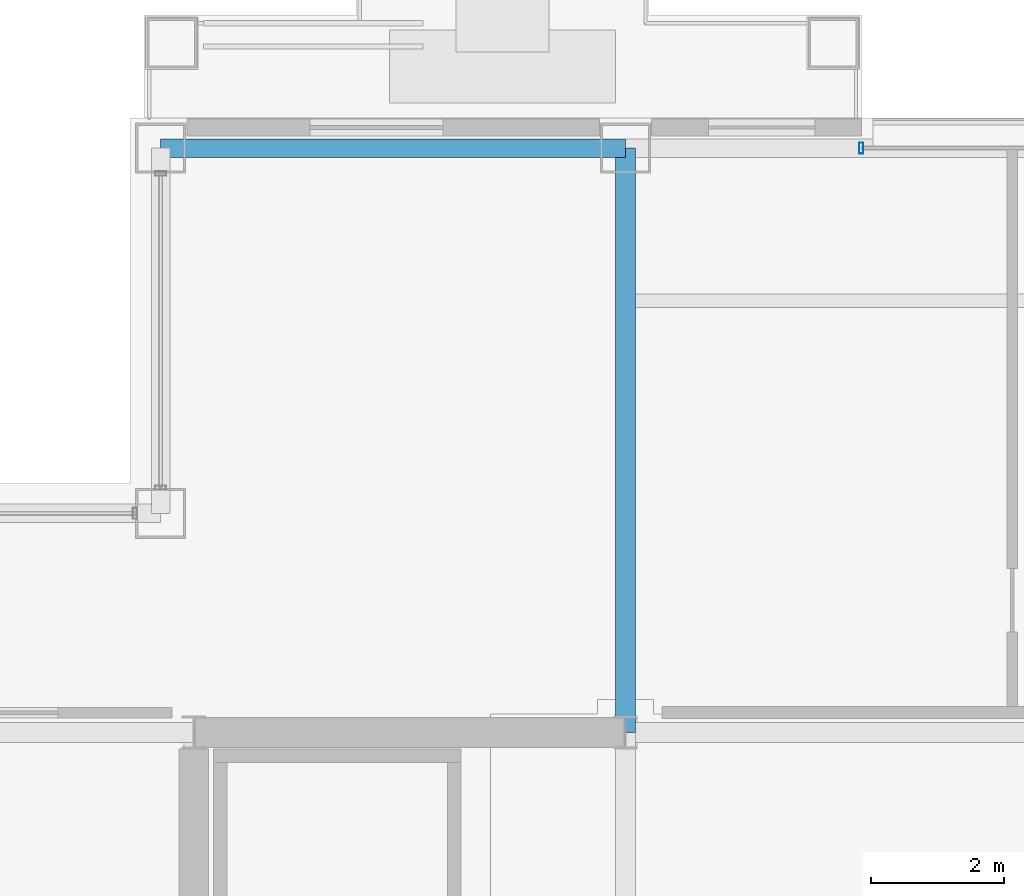
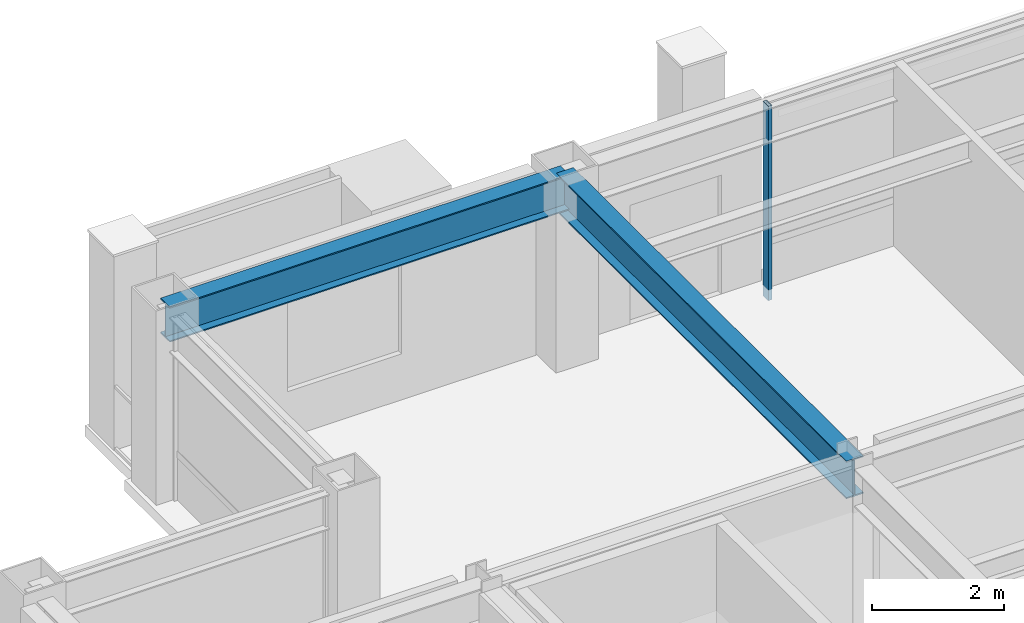
# One storey, part 21 of 32: 2 beams, 1 member, 1 element without a shape of its own.
"""IFC4 building model written with IfcOpenShell, lengths in metres."""

import ifcopenshell
import ifcopenshell.guid

model = None  # the IFC model being written
_history = None  # IfcOwnerHistory: only IFC2X3 demands one
_inside = {}  # id of a spatial element -> (the spatial element, [elements in it])
_under = {}  # id of a project, library or spatial element -> (it, [spatial elements below it])
_declared = {}  # id of a project -> (the project, [libraries it declares])
_typed = {}  # id of a type object -> (the type object, [elements of that type])
_made_of = {}  # id of a material, layer set ... -> (it, [elements and type objects made of it])


def new_model(schema):
    """Start an empty IFC model of exactly this schema.

    Asked for "IFC4X3", IfcOpenShell would pick the latest addendum, in which some entities
    have other attributes; the version numbers below select the first issue.
    IFC2X3 requires an IfcOwnerHistory on every rooted entity: one is made here for all.
    """
    global model, _history
    if schema == "IFC4X3":
        model = ifcopenshell.file(schema_version=(4, 3, 0, 0))
    else:
        model = ifcopenshell.file(schema=schema)
    _inside.clear()
    _under.clear()
    _declared.clear()
    _typed.clear()
    _made_of.clear()
    _history = None
    if model.schema == "IFC2X3":
        org = make("IfcOrganization", Name="unknown")
        user = make(
            "IfcPersonAndOrganization",
            ThePerson=make("IfcPerson", FamilyName="unknown"),
            TheOrganization=org,
        )
        app = make(
            "IfcApplication",
            ApplicationDeveloper=org,
            Version="unknown",
            ApplicationFullName="unknown",
            ApplicationIdentifier="unknown",
        )
        _history = make(
            "IfcOwnerHistory",
            OwningUser=user,
            OwningApplication=app,
            ChangeAction="ADDED",
            CreationDate=0,
        )
    return model


def make(cls, **values):
    """One entity of the class cls with the attributes given. An attribute that is None is left unset."""
    return model.create_entity(
        cls, **{name: value for name, value in values.items() if value is not None}
    )


def rooted(cls, **values):
    """An entity with a GlobalId (a new one), such as an element, a storey or a relation."""
    return make(cls, GlobalId=ifcopenshell.guid.new(), OwnerHistory=_history, **values)


def si_unit(unit_type, name, prefix=None):
    """IfcSIUnit, for example si_unit("LENGTHUNIT", "METRE", prefix="MILLI")."""
    return make("IfcSIUnit", UnitType=unit_type, Prefix=prefix, Name=name)


def assignment(units):
    """IfcUnitAssignment: the units of a project."""
    return None if units is None else make("IfcUnitAssignment", Units=units)


def point(xyz):
    """IfcCartesianPoint."""
    return None if xyz is None else make("IfcCartesianPoint", Coordinates=xyz)


def direction(xyz):
    """IfcDirection."""
    return None if xyz is None else make("IfcDirection", DirectionRatios=xyz)


def frame(location, z_axis=None, x_axis=None):
    """IfcAxis2Placement3D, a coordinate frame: its origin and axes. An axis left out is left unset."""
    return make(
        "IfcAxis2Placement3D",
        Location=point(location),
        Axis=direction(z_axis),
        RefDirection=direction(x_axis),
    )


def frame_2d(location, x_axis=None):
    """IfcAxis2Placement2D, a coordinate frame in the plane: its origin and x axis."""
    return make(
        "IfcAxis2Placement2D", Location=point(location), RefDirection=direction(x_axis)
    )


def origin():
    """The frame at (0, 0, 0) with its axes left unset."""
    return frame((0.0, 0.0, 0.0))


def origin_2d():
    """The frame at (0, 0) in the plane with its x axis left unset."""
    return frame_2d((0.0, 0.0))


def place(relative_to, where):
    """IfcLocalPlacement: puts the frame where relative to a parent placement (None: the world)."""
    return make(
        "IfcLocalPlacement", PlacementRelTo=relative_to, RelativePlacement=where
    )


def context(
    kind, dimensions, precision=None, world=None, true_north=None, identifier=None
):
    """IfcGeometricRepresentationContext, for example the 3D "Model" context."""
    return make(
        "IfcGeometricRepresentationContext",
        ContextIdentifier=identifier,
        ContextType=kind,
        CoordinateSpaceDimension=dimensions,
        Precision=precision,
        WorldCoordinateSystem=world,
        TrueNorth=true_north,
    )


def subcontext(parent, identifier, kind, view, scale=None):
    """IfcGeometricRepresentationSubContext, for example "Body" below "Model"."""
    return make(
        "IfcGeometricRepresentationSubContext",
        ContextIdentifier=identifier,
        ContextType=kind,
        ParentContext=parent,
        TargetScale=scale,
        TargetView=view,
    )


def project(units=None, contexts=None):
    """IfcProject with its units and contexts."""
    return rooted(
        "IfcProject",
        Name="project",
        RepresentationContexts=contexts,
        UnitsInContext=assignment(units),
    )


def spatial(cls, under=None, at=None, **own):
    """A site, building, storey or space (cls), placed at a placement, below another one or the project."""
    s = rooted(cls, ObjectPlacement=at, **own)
    if under is not None:
        _under.setdefault(under.id(), (under, []))[1].append(s)
    return s


def profile(cls, at=None, kind="AREA", **sizes):
    """A parametric profile (cls). Its sizes go by their IFC names, for example OverallWidth=200.0."""
    return make(cls, ProfileType=kind, Position=at, **sizes)


def hollow_rectangle(**sizes):
    """IfcRectangleHollowProfileDef."""
    return profile("IfcRectangleHollowProfileDef", **sizes)


def i_section(**sizes):
    """IfcIShapeProfileDef."""
    return profile("IfcIShapeProfileDef", **sizes)


def extrude(swept, where, along, depth):
    """IfcExtrudedAreaSolid: the profile swept, set in the frame where, extruded along a direction by depth."""
    return make(
        "IfcExtrudedAreaSolid",
        SweptArea=swept,
        Position=where,
        ExtrudedDirection=direction(along),
        Depth=depth,
    )


def shape(context_of_items, identifier, shape_type, items):
    """IfcShapeRepresentation: the items that make up one representation, for example the "Body"."""
    return make(
        "IfcShapeRepresentation",
        ContextOfItems=context_of_items,
        RepresentationIdentifier=identifier,
        RepresentationType=shape_type,
        Items=items,
    )


def material(Name=None, Category=None):
    """IfcMaterial."""
    return make("IfcMaterial", Name=Name, Category=Category)


def layer(
    of_material, thickness, ventilated=None, Name=None, Category=None, Priority=None
):
    """IfcMaterialLayer: one layer of a wall or slab, of a material (None: an air gap)."""
    return make(
        "IfcMaterialLayer",
        Material=of_material,
        LayerThickness=thickness,
        IsVentilated=ventilated,
        Name=Name,
        Category=Category,
        Priority=Priority,
    )


def layer_set(layers, Name=None):
    """IfcMaterialLayerSet."""
    return make("IfcMaterialLayerSet", MaterialLayers=layers, LayerSetName=Name)


def material_profile(
    of_material, cross_section, Name=None, Category=None, Priority=None
):
    """IfcMaterialProfile: a cross section and its material."""
    return make(
        "IfcMaterialProfile",
        Name=Name,
        Material=of_material,
        Profile=cross_section,
        Priority=Priority,
        Category=Category,
    )


def profile_set(profiles, Name=None, composite=None):
    """IfcMaterialProfileSet."""
    return make(
        "IfcMaterialProfileSet",
        Name=Name,
        MaterialProfiles=profiles,
        CompositeProfile=composite,
    )


def made_of(thing, what):
    """Note that an element or type object is made of a material, layer set ...; save() writes the relation."""
    if what is not None:
        _made_of.setdefault(what.id(), (what, []))[1].append(thing)
    return thing


def type_object(cls, material=None, **own):
    """A type object (cls), such as IfcWallType, which elements share."""
    return made_of(rooted(cls, **own), material)


def element(
    cls,
    number,
    at=None,
    inside=None,
    cuts=None,
    type_object=None,
    material=None,
    context=None,
    identifier="Body",
    shape_type=None,
    held_by="IfcProductDefinitionShape",
    body=None,
    shapes=None,
    **own,
):
    """One element of the class cls, such as IfcWall. Its Tag is "e" and its number.

    at: its placement. inside: the storey or other place that contains it. cuts: it is an
    opening in that element (IfcRelVoidsElement). A single representation is given by context,
    identifier, shape_type and body (its items); several are given by shapes. held_by: the class
    of the entity that holds the representations. save() writes the other relations.
    """
    e = rooted(cls, Tag="e%d" % number, ObjectPlacement=at, **own)
    if body is not None:
        shapes = [shape(context, identifier, shape_type, body)]
    if shapes is not None:
        e.Representation = make(held_by, Representations=shapes)
    if inside is not None:
        _inside.setdefault(inside.id(), (inside, []))[1].append(e)
    if cuts is not None:
        rooted(
            "IfcRelVoidsElement", RelatingBuildingElement=cuts, RelatedOpeningElement=e
        )
    if type_object is not None:
        _typed.setdefault(type_object.id(), (type_object, []))[1].append(e)
    return made_of(e, material)


def aggregate(whole, parts):
    """IfcRelAggregates: a whole, such as a stair, and the parts it consists of."""
    return rooted("IfcRelAggregates", RelatingObject=whole, RelatedObjects=parts)


def save(model, path):
    """Write the relations noted so far, then the file.

    IfcRelAggregates (storeys below a building ...), IfcRelContainedInSpatialStructure (elements
    in a storey), IfcRelDefinesByType, IfcRelAssociatesMaterial and IfcRelDeclares: one each for
    every whole, place, type object, material and project.
    """
    for whole, parts in _under.values():
        aggregate(whole, parts)
    for where, things in _inside.values():
        rooted(
            "IfcRelContainedInSpatialStructure",
            RelatedElements=things,
            RelatingStructure=where,
        )
    for kind, things in _typed.values():
        rooted("IfcRelDefinesByType", RelatedObjects=things, RelatingType=kind)
    for what, things in _made_of.values():
        rooted("IfcRelAssociatesMaterial", RelatedObjects=things, RelatingMaterial=what)
    for by, libraries in _declared.values():
        rooted("IfcRelDeclares", RelatingContext=by, RelatedDefinitions=libraries)
    model.write(path)


model = new_model("IFC4")

# Units and contexts
model_context = context("Model", 3, precision=1e-05, world=origin(), true_north=direction((0.0, 1.0)))
body_context = subcontext(model_context, "Body", "Model", "MODEL_VIEW")
ifc_project = project(units=[si_unit("LENGTHUNIT", "METRE"), si_unit("AREAUNIT", "SQUARE_METRE"), si_unit("VOLUMEUNIT", "CUBIC_METRE"), si_unit("PLANEANGLEUNIT", "RADIAN"), si_unit("MASSUNIT", "GRAM", prefix="KILO")], contexts=[model_context])

# Site, building, storey
site_placement = place(None, origin())
site = spatial("IfcSite", under=ifc_project, at=site_placement, CompositionType="ELEMENT")
building_placement = place(site_placement, origin())
building = spatial("IfcBuilding", under=site, at=building_placement, Name="Brelmoor Portico Tower", CompositionType="ELEMENT")
storey_placement = place(building_placement, frame((0.0, 0.0, 162.300048828125)))
storey = spatial("IfcBuildingStorey", under=building, at=storey_placement, Name="L42", CompositionType="ELEMENT", Elevation=162.300048828125)

# Beams
ifc_material_1 = material(Name="Steel Q355B", Category="steel")
ifc_material_profile_1 = material_profile(ifc_material_1, i_section(OverallWidth=0.300048828125, OverallDepth=0.699951171875, WebThickness=0.012939453125, FlangeThickness=0.02392578125, at=origin_2d()), Name="HN 700x300x13x24")
ifc_profile_set_1 = profile_set([ifc_material_profile_1], Name="Steel Q355B")
beam_type_1 = type_object("IfcBeamType", Name="BM-PG-700", PredefinedType="BEAM", material=ifc_profile_set_1)
beam_1_placement = place(storey_placement, frame((-8.050048828125, 9.75, 3.050048828125), z_axis=(0.0, 1.0, 0.0), x_axis=(-1.0, 0.0, 0.0)))
element("IfcBeam", 1, at=beam_1_placement, inside=storey, type_object=beam_type_1, Name="L42 Primary Floor Girder PG-05", PredefinedType="BEAM", context=body_context, shape_type="SweptSolid", body=[
    extrude(i_section(OverallWidth=0.300048828125, OverallDepth=0.699951171875, WebThickness=0.012939453125, FlangeThickness=0.02392578125, at=origin_2d()), origin(), (0.0, 0.0, 1.0), 8.800048828125),
])
ifc_material_profile_2 = material_profile(ifc_material_1, i_section(OverallWidth=0.280029296875, OverallDepth=0.64990234375, WebThickness=0.012939453125, FlangeThickness=0.02197265625, at=origin_2d()), Name="HN 650x280x13x22")
ifc_profile_set_2 = profile_set([ifc_material_profile_2], Name="Steel Q355B")
beam_type_2 = type_object("IfcBeamType", Name="BM-SP-650", PredefinedType="SPANDREL", material=ifc_profile_set_2)
beam_2_placement = place(storey_placement, frame((-15.050048828125, 18.550048828125, 3.074951171875), z_axis=(1.0, 0.0, 0.0), x_axis=(0.0, 1.0, 0.0)))
element("IfcBeam", 2, at=beam_2_placement, inside=storey, type_object=beam_type_2, Name="L42 Perimeter Spandrel Beam SP-08", PredefinedType="SPANDREL", context=body_context, shape_type="SweptSolid", body=[
    extrude(i_section(OverallWidth=0.280029296875, OverallDepth=0.64990234375, WebThickness=0.012939453125, FlangeThickness=0.02197265625, at=origin_2d()), origin(), (0.0, 0.0, 1.0), 7.0),
])

# Curtain wall, member
ifc_material_2 = material(Name="Anodised Aluminium Alloy 6063-T6", Category="aluminium")
ifc_layer = layer(ifc_material_2, 0.179931640625)
ifc_layer_set = layer_set([ifc_layer], Name="Anodised Aluminium Alloy 6063-T6")
curtain_wall_type = type_object("IfcCurtainWallType", Name="CW-TOWER-Z3", PredefinedType="NOTDEFINED", material=ifc_layer_set)
curtain_wall_placement = place(storey_placement, origin())
curtain_wall = element("IfcCurtainWall", 3, at=curtain_wall_placement, inside=storey, type_object=curtain_wall_type, Name="L42 Curtain Wall CW-L42-2R-1", PredefinedType="NOTDEFINED")
ifc_material_profile_3 = material_profile(ifc_material_2, hollow_rectangle(XDim=0.06494140625, YDim=0.1650390625, WallThickness=0.00390625, at=origin_2d()), Name="ALU MULLION 65x165")
ifc_profile_set_3 = profile_set([ifc_material_profile_3], Name="Anodised Aluminium Alloy 6063-T6")
member_type = type_object("IfcMemberType", Name="MB-CW-MULL-165", PredefinedType="MULLION", material=ifc_profile_set_3)
member_placement = place(storey_placement, frame((-4.5, 18.550048828125, -0.199951171875), z_axis=(0.0, 0.0, 1.0), x_axis=(1.0, 0.0, 0.0)))
member = element("IfcMember", 4, at=member_placement, type_object=member_type, Name="CW-L42-2R-1 Mullion 00", PredefinedType="MULLION", context=body_context, shape_type="SweptSolid", body=[
    extrude(hollow_rectangle(XDim=0.06494140625, YDim=0.1650390625, WallThickness=0.00390625, at=origin_2d()), origin(), (0.0, 0.0, 1.0), 3.599853515625),
])
aggregate(curtain_wall, [member])

save(model, "model.ifc")
